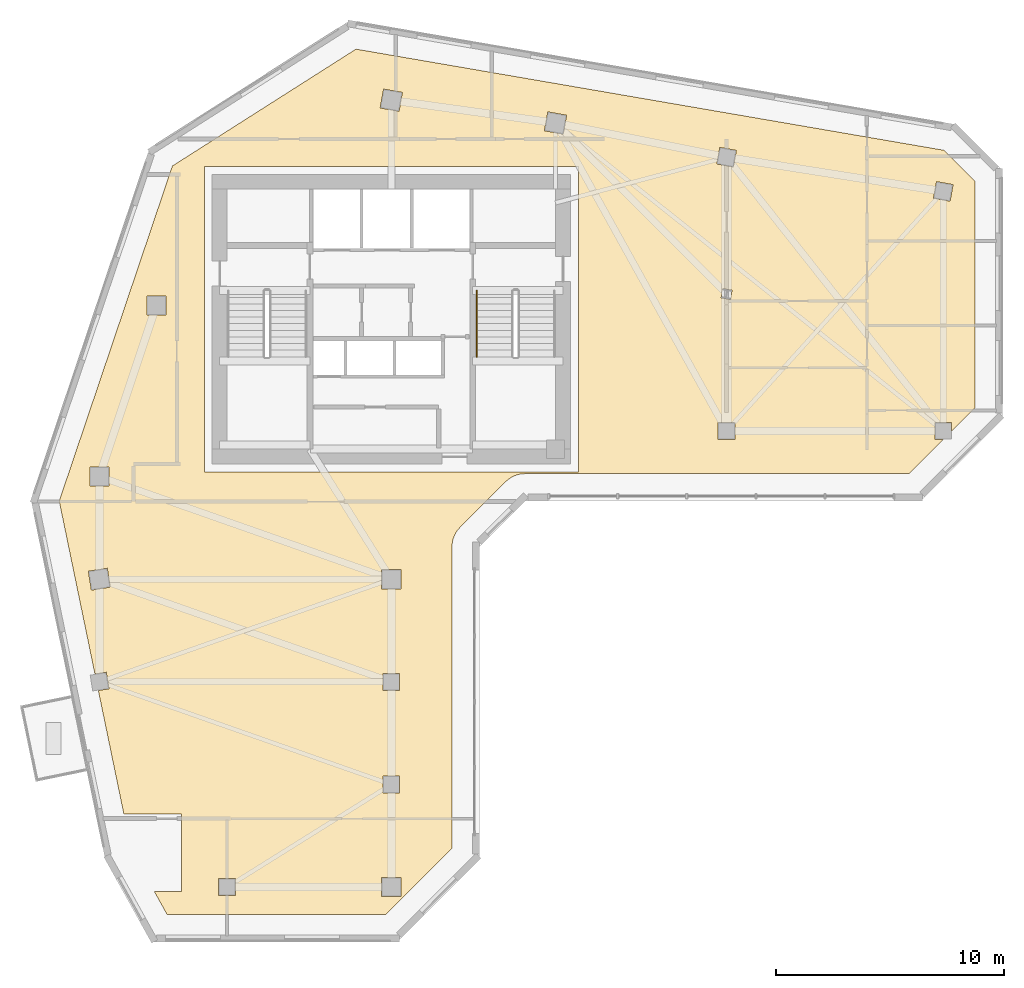
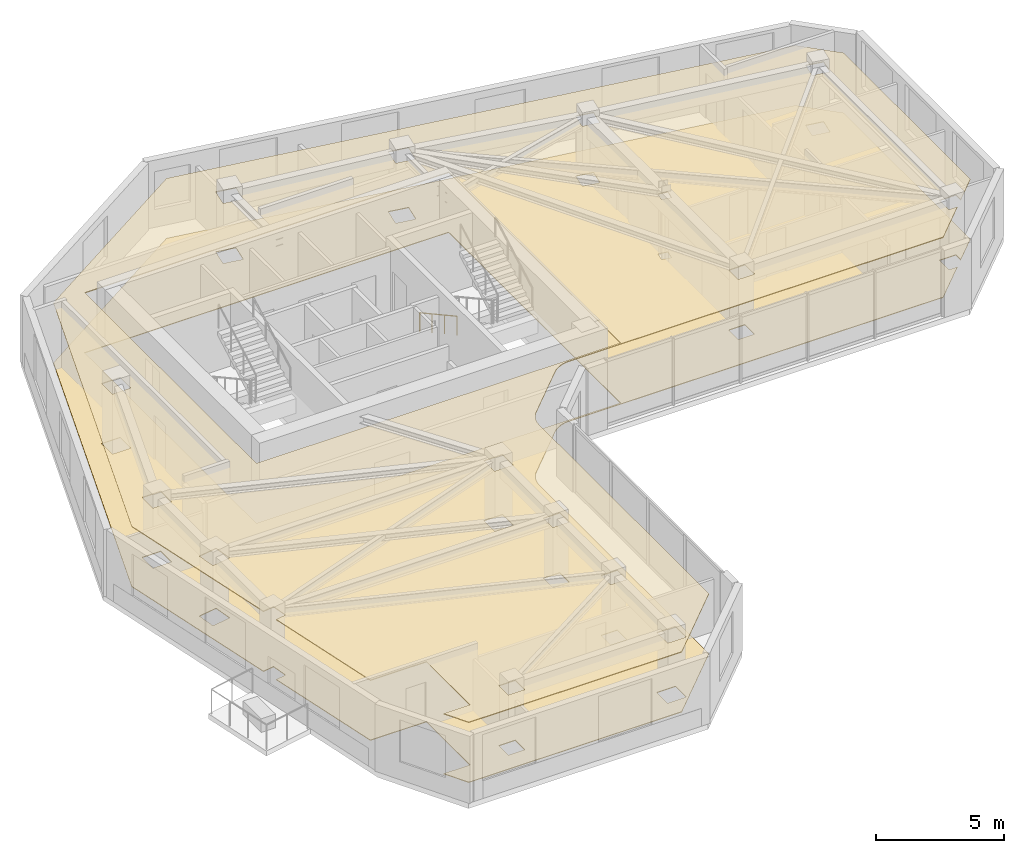
# One storey, part 9 of 10: 2 coverings, 1 railing.
"""IFC4 building model written with IfcOpenShell, lengths in metres."""

from ifc_helpers import new_model, si_unit, direction, frame, origin, origin_2d, place, context, subcontext, project, spatial, polyline, circle, outline, extrude, material, layer, layer_set, type_object, element, save


model = new_model("IFC4")

# Units and contexts
model_context = context("Model", 3, precision=1e-05, world=origin(), true_north=direction((0.0, 1.0)))
body_context = subcontext(model_context, "Body", "Model", "MODEL_VIEW")
ifc_project = project(units=[si_unit("LENGTHUNIT", "METRE"), si_unit("AREAUNIT", "SQUARE_METRE"), si_unit("VOLUMEUNIT", "CUBIC_METRE"), si_unit("PLANEANGLEUNIT", "RADIAN"), si_unit("MASSUNIT", "GRAM", prefix="KILO")], contexts=[model_context])

# Site, building, storey
site_placement = place(None, origin())
site = spatial("IfcSite", under=ifc_project, at=site_placement, CompositionType="ELEMENT")
building_placement = place(site_placement, origin())
building = spatial("IfcBuilding", under=site, at=building_placement, Name="Calvemar Wedge Station Tower", CompositionType="ELEMENT")
storey_placement = place(building_placement, frame((0.0, 0.0, 207.89990234375)))
storey = spatial("IfcBuildingStorey", under=building, at=storey_placement, Name="L52", CompositionType="ELEMENT", Elevation=207.89990234375)

# Coverings
ifc_material_1 = material(Name="Moisture-resistant gypsum ceiling")
ifc_layer_1 = layer(ifc_material_1, 0.0400390625)
ifc_layer_set_1 = layer_set([ifc_layer_1], Name="Moisture-resistant gypsum ceiling")
covering_type_1 = type_object("IfcCoveringType", Name="COV-CEIL-GYPSUM", PredefinedType="CEILING", material=ifc_layer_set_1)
covering_1_placement = place(storey_placement, frame((0.0, 0.0, 2.85009765625)))
element("IfcCovering", 1, at=covering_1_placement, inside=storey, type_object=covering_type_1, Name="Storey L52 Acoustic Suspended Ceiling", PredefinedType="CEILING", context=body_context, shape_type="SweptSolid", body=[
    extrude(outline(polyline([(26.8154296875, 30.7724609375), (28.8154296875, 32.7724609375), (28.902587890625, 32.8515625), (28.997314453125, 32.921875), (29.098388671875, 32.982421875), (29.204833984375, 33.03271484375), (29.315673828125, 33.072265625), (29.429931640625, 33.100830078125), (29.54638671875, 33.1181640625), (29.6640625, 33.1240234375), (46.5029296875, 33.1240234375), (48.0087890625, 34.6298828125), (47.6298828125, 34.6298828125), (47.6298828125, 35.3701171875), (48.3701171875, 35.3701171875), (48.3701171875, 34.9912109375), (49.39990234375, 36.02099609375), (49.39990234375, 45.927001953125), (48.02099609375, 47.305908203125), (22.25341796875, 51.73876953125), (14.201416015625, 46.614990234375), (9.240966796875, 31.92431640625), (10.806884765625, 24.34375), (11.306884765625, 24.423828125), (11.423828125, 23.693115234375), (10.956787109375, 23.618408203125), (12.076171875, 18.199951171875), (14.60009765625, 18.199951171875), (14.60009765625, 14.800048828125), (13.41455078125, 14.800048828125), (13.97021484375, 13.800048828125), (23.56689453125, 13.800048828125), (26.464111328125, 16.697021484375), (26.464111328125, 29.924072265625), (26.4697265625, 30.04150390625), (26.487060546875, 30.158203125), (26.515625, 30.272216796875), (26.555419921875, 30.38330078125), (26.605712890625, 30.48974609375), (26.666259765625, 30.5908203125), (26.736328125, 30.685302734375), (26.8154296875, 30.7724609375)]), holes=[polyline([(15.60009765625, 46.60009765625), (32.0, 46.60009765625), (32.0, 33.199951171875), (15.60009765625, 33.199951171875), (15.60009765625, 46.60009765625)]), polyline([(10.580078125, 32.580078125), (10.580078125, 33.419921875), (11.419921875, 33.419921875), (11.419921875, 32.580078125), (10.580078125, 32.580078125)]), polyline([(13.080078125, 40.919921875), (13.919921875, 40.919921875), (13.919921875, 40.080078125), (13.080078125, 40.080078125), (13.080078125, 40.919921875)]), polyline([(24.28759765625, 49.839111328125), (24.138916015625, 49.01220703125), (23.312255859375, 49.160888671875), (23.4609375, 49.98779296875), (24.28759765625, 49.839111328125)]), polyline([(31.339111328125, 48.01220703125), (30.51220703125, 48.160888671875), (30.660888671875, 48.98779296875), (31.48779296875, 48.839111328125), (31.339111328125, 48.01220703125)]), polyline([(38.0703125, 46.701416015625), (38.201416015625, 47.4296875), (38.9296875, 47.298583984375), (38.798583984375, 46.5703125), (38.0703125, 46.701416015625)]), polyline([(47.701416015625, 45.9296875), (48.4296875, 45.798583984375), (48.298583984375, 45.0703125), (47.5703125, 45.201416015625), (47.701416015625, 45.9296875)]), polyline([(38.8701171875, 35.3701171875), (38.8701171875, 34.6298828125), (38.1298828125, 34.6298828125), (38.1298828125, 35.3701171875), (38.8701171875, 35.3701171875)]), polyline([(38.259765625, 40.833984375), (38.332763671875, 41.239501953125), (38.740234375, 41.166015625), (38.667236328125, 40.760498046875), (38.259765625, 40.833984375)]), polyline([(11.348388671875, 28.981201171875), (11.481201171875, 28.151611328125), (10.651611328125, 28.018798828125), (10.518798828125, 28.848388671875), (11.348388671875, 28.981201171875)]), polyline([(24.219970703125, 28.080078125), (23.3798828125, 28.080078125), (23.3798828125, 28.919921875), (24.219970703125, 28.919921875), (24.219970703125, 28.080078125)]), polyline([(23.429931640625, 23.6298828125), (23.429931640625, 24.3701171875), (24.169921875, 24.3701171875), (24.169921875, 23.6298828125), (23.429931640625, 23.6298828125)]), polyline([(23.429931640625, 19.8701171875), (24.169921875, 19.8701171875), (24.169921875, 19.1298828125), (23.429931640625, 19.1298828125), (23.429931640625, 19.8701171875)]), polyline([(24.219970703125, 15.419921875), (24.219970703125, 14.580078125), (23.3798828125, 14.580078125), (23.3798828125, 15.419921875), (24.219970703125, 15.419921875)]), polyline([(16.969970703125, 14.6298828125), (16.22998046875, 14.6298828125), (16.22998046875, 15.3701171875), (16.969970703125, 15.3701171875), (16.969970703125, 14.6298828125)])]), origin(), (0.0, 0.0, 1.0), 0.0400390625),
])
ifc_material_2 = material(Name="Honed coastal granite stone tile", Category="masonry")
ifc_layer_2 = layer(ifc_material_2, 0.030029296875)
ifc_layer_set_2 = layer_set([ifc_layer_2], Name="Honed coastal granite stone tile")
covering_type_2 = type_object("IfcCoveringType", Name="COV-FLR-STONE", PredefinedType="FLOORING", material=ifc_layer_set_2)
covering_2_placement = place(storey_placement, origin())
element("IfcCovering", 2, at=covering_2_placement, inside=storey, type_object=covering_type_2, Name="Storey L52 Architectural Floor Finish", PredefinedType="FLOORING", context=body_context, shape_type="SweptSolid", body=[
    extrude(outline(polyline([(26.8154296875, 30.7724609375), (28.8154296875, 32.7724609375), (28.902587890625, 32.8515625), (28.997314453125, 32.921875), (29.098388671875, 32.982421875), (29.204833984375, 33.03271484375), (29.315673828125, 33.072265625), (29.429931640625, 33.100830078125), (29.54638671875, 33.1181640625), (29.6640625, 33.1240234375), (46.5029296875, 33.1240234375), (48.0087890625, 34.6298828125), (47.6298828125, 34.6298828125), (47.6298828125, 35.3701171875), (48.3701171875, 35.3701171875), (48.3701171875, 34.9912109375), (49.39990234375, 36.02099609375), (49.39990234375, 45.927001953125), (48.02099609375, 47.305908203125), (22.25341796875, 51.73876953125), (14.201416015625, 46.614990234375), (9.240966796875, 31.92431640625), (10.806884765625, 24.34375), (11.306884765625, 24.423828125), (11.423828125, 23.693115234375), (10.956787109375, 23.618408203125), (12.076171875, 18.199951171875), (14.60009765625, 18.199951171875), (14.60009765625, 14.800048828125), (13.41455078125, 14.800048828125), (13.97021484375, 13.800048828125), (23.56689453125, 13.800048828125), (26.464111328125, 16.697021484375), (26.464111328125, 29.924072265625), (26.4697265625, 30.04150390625), (26.487060546875, 30.158203125), (26.515625, 30.272216796875), (26.555419921875, 30.38330078125), (26.605712890625, 30.48974609375), (26.666259765625, 30.5908203125), (26.736328125, 30.685302734375), (26.8154296875, 30.7724609375)]), holes=[polyline([(15.60009765625, 46.60009765625), (32.0, 46.60009765625), (32.0, 33.199951171875), (15.60009765625, 33.199951171875), (15.60009765625, 46.60009765625)]), polyline([(10.580078125, 32.580078125), (10.580078125, 33.419921875), (11.419921875, 33.419921875), (11.419921875, 32.580078125), (10.580078125, 32.580078125)]), polyline([(13.080078125, 40.919921875), (13.919921875, 40.919921875), (13.919921875, 40.080078125), (13.080078125, 40.080078125), (13.080078125, 40.919921875)]), polyline([(24.28759765625, 49.839111328125), (24.138916015625, 49.01220703125), (23.312255859375, 49.160888671875), (23.4609375, 49.98779296875), (24.28759765625, 49.839111328125)]), polyline([(31.339111328125, 48.01220703125), (30.51220703125, 48.160888671875), (30.660888671875, 48.98779296875), (31.48779296875, 48.839111328125), (31.339111328125, 48.01220703125)]), polyline([(38.0703125, 46.701416015625), (38.201416015625, 47.4296875), (38.9296875, 47.298583984375), (38.798583984375, 46.5703125), (38.0703125, 46.701416015625)]), polyline([(47.701416015625, 45.9296875), (48.4296875, 45.798583984375), (48.298583984375, 45.0703125), (47.5703125, 45.201416015625), (47.701416015625, 45.9296875)]), polyline([(38.8701171875, 35.3701171875), (38.8701171875, 34.6298828125), (38.1298828125, 34.6298828125), (38.1298828125, 35.3701171875), (38.8701171875, 35.3701171875)]), polyline([(38.259765625, 40.833984375), (38.332763671875, 41.239501953125), (38.740234375, 41.166015625), (38.667236328125, 40.760498046875), (38.259765625, 40.833984375)]), polyline([(11.348388671875, 28.981201171875), (11.481201171875, 28.151611328125), (10.651611328125, 28.018798828125), (10.518798828125, 28.848388671875), (11.348388671875, 28.981201171875)]), polyline([(24.219970703125, 28.080078125), (23.3798828125, 28.080078125), (23.3798828125, 28.919921875), (24.219970703125, 28.919921875), (24.219970703125, 28.080078125)]), polyline([(23.429931640625, 23.6298828125), (23.429931640625, 24.3701171875), (24.169921875, 24.3701171875), (24.169921875, 23.6298828125), (23.429931640625, 23.6298828125)]), polyline([(23.429931640625, 19.8701171875), (24.169921875, 19.8701171875), (24.169921875, 19.1298828125), (23.429931640625, 19.1298828125), (23.429931640625, 19.8701171875)]), polyline([(24.219970703125, 15.419921875), (24.219970703125, 14.580078125), (23.3798828125, 14.580078125), (23.3798828125, 15.419921875), (24.219970703125, 15.419921875)]), polyline([(16.969970703125, 14.6298828125), (16.22998046875, 14.6298828125), (16.22998046875, 15.3701171875), (16.969970703125, 15.3701171875), (16.969970703125, 14.6298828125)])]), origin(), (0.0, 0.0, 1.0), 0.030029296875),
])

# Railing
ifc_material_3 = material(Name="Stainless steel AISI 316L", Category="steel")
railing_type = type_object("IfcRailingType", Name="RL-HANDRAIL-920", PredefinedType="HANDRAIL", material=ifc_material_3)
railing_placement = place(storey_placement, frame((27.550048828125, 41.14990234375, 0.1591796875)))
element("IfcRailing", 3, at=railing_placement, inside=storey, type_object=railing_type, Name="L52 ST-C2 stair handrail 1", PredefinedType="HANDRAIL", context=body_context, shape_type="SweptSolid", body=[
    extrude(circle(Radius=0.02392578125, at=origin_2d()), frame((0.0, 0.0, 0.89599609375), z_axis=(0.0, -0.876742130028, 0.480960744171), x_axis=(1.0, 0.0, 0.0)), (0.0, 0.0, 1.0), 3.3076171875),
    extrude(circle(Radius=0.02099609375, at=origin_2d()), origin(), (0.0, 0.0, 1.0), 0.871826171875),
    extrude(circle(Radius=0.02099609375, at=origin_2d()), frame((0.0, -0.966552734375, 0.5302734375)), (0.0, 0.0, 1.0), 0.871826171875),
    extrude(circle(Radius=0.02099609375, at=origin_2d()), frame((0.0, -1.933349609375, 1.060546875)), (0.0, 0.0, 1.0), 0.871826171875),
    extrude(circle(Radius=0.02099609375, at=origin_2d()), frame((0.0, -2.89990234375, 1.5908203125)), (0.0, 0.0, 1.0), 0.871826171875),
])

save(model, "model.ifc")
